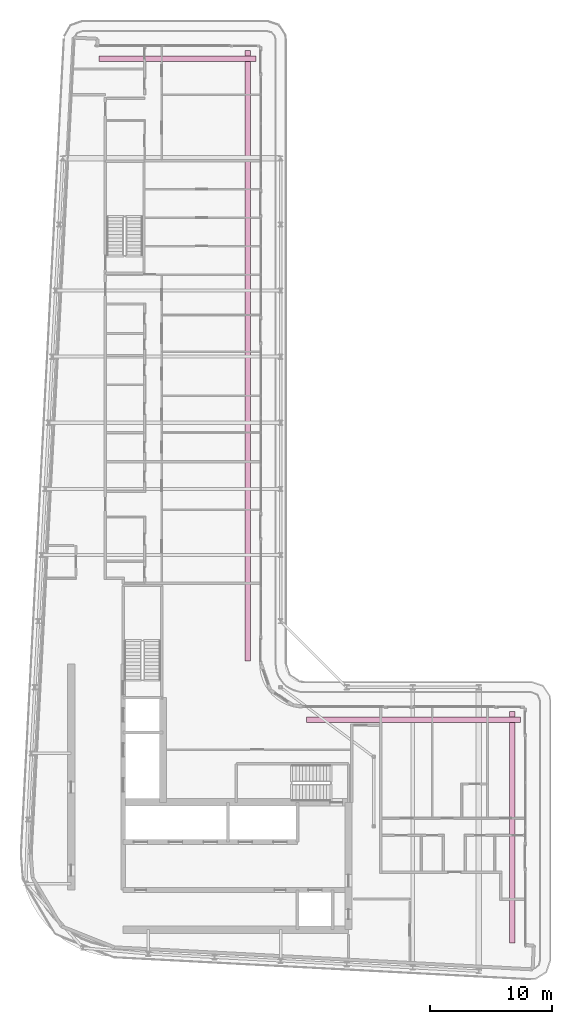
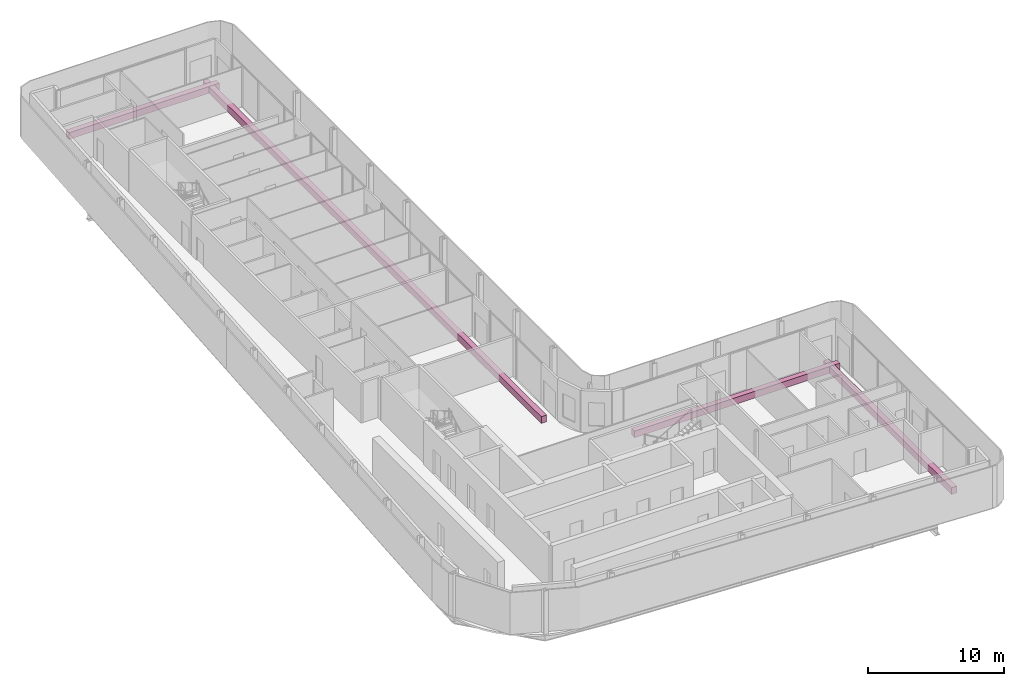
# One storey, part 21 of 21: 4 furniture elements.
"""IFC4 building model written with IfcOpenShell, lengths in metres."""

from ifc_helpers import new_model, si_unit, direction, frame, origin, origin_2d, place, context, subcontext, project, spatial, rectangle, extrude, material, type_object, element, save


model = new_model("IFC4")

# Units and contexts
model_context = context("Model", 3, precision=1e-05, world=origin(), true_north=direction((0.0, 1.0)))
body_context = subcontext(model_context, "Body", "Model", "MODEL_VIEW")
ifc_project = project(units=[si_unit("LENGTHUNIT", "METRE"), si_unit("AREAUNIT", "SQUARE_METRE"), si_unit("VOLUMEUNIT", "CUBIC_METRE"), si_unit("PLANEANGLEUNIT", "RADIAN"), si_unit("MASSUNIT", "GRAM", prefix="KILO")], contexts=[model_context])

# Site, building, storey
site_placement = place(None, origin())
site = spatial("IfcSite", under=ifc_project, at=site_placement, CompositionType="ELEMENT")
building_placement = place(site_placement, origin())
building = spatial("IfcBuilding", under=site, at=building_placement, Name="Kheshtan School and Residences Tower", CompositionType="ELEMENT")
storey_placement = place(building_placement, frame((0.0, 0.0, 290.300048828125)))
storey = spatial("IfcBuildingStorey", under=building, at=storey_placement, Name="L68", CompositionType="ELEMENT", Elevation=290.300048828125)

# Furniture
ifc_material = material(Name="Precast concrete C30/37 in terracotta finish", Category="masonry")
furniture_type = type_object("IfcFurnitureType", Name="Planter trough", AssemblyPlace="NOTDEFINED", PredefinedType="USERDEFINED", material=ifc_material)
furniture_1_placement = place(storey_placement, frame((39.196044921875, 96.925048828125, 0.0), z_axis=(0.0, 0.0, 1.0), x_axis=(1.0, 0.0, 0.0)))
element("IfcFurniture", 1, at=furniture_1_placement, inside=storey, type_object=furniture_type, Name="Planter L68", ObjectType="PLANTER", PredefinedType="USERDEFINED", context=body_context, shape_type="SweptSolid", body=[
    extrude(rectangle(XDim=12.80810546875, YDim=0.449951171875, at=origin_2d()), origin(), (0.0, 0.0, 1.0), 0.60009765625),
])
furniture_2_placement = place(storey_placement, frame((44.925048828125, 72.6650390625, 0.0), z_axis=(0.0, 0.0, 1.0), x_axis=(0.0, -1.0, 0.0)))
element("IfcFurniture", 2, at=furniture_2_placement, inside=storey, type_object=furniture_type, Name="Planter L68", ObjectType="PLANTER", PredefinedType="USERDEFINED", context=body_context, shape_type="SweptSolid", body=[
    extrude(rectangle(XDim=49.8701171875, YDim=0.449951171875, at=origin_2d()), origin(), (0.0, 0.0, 1.0), 0.60009765625),
])
furniture_3_placement = place(storey_placement, frame((58.465087890625, 42.925048828125, 0.0), z_axis=(0.0, 0.0, 1.0), x_axis=(1.0, 0.0, 0.0)))
element("IfcFurniture", 3, at=furniture_3_placement, inside=storey, type_object=furniture_type, Name="Planter L68", ObjectType="PLANTER", PredefinedType="USERDEFINED", context=body_context, shape_type="SweptSolid", body=[
    extrude(rectangle(XDim=17.469970703125, YDim=0.449951171875, at=origin_2d()), origin(), (0.0, 0.0, 1.0), 0.60009765625),
])
furniture_4_placement = place(storey_placement, frame((66.52490234375, 34.159912109375, 0.0), z_axis=(0.0, 0.0, 1.0), x_axis=(0.0, -1.0, 0.0)))
element("IfcFurniture", 4, at=furniture_4_placement, inside=storey, type_object=furniture_type, Name="Planter L68", ObjectType="PLANTER", PredefinedType="USERDEFINED", context=body_context, shape_type="SweptSolid", body=[
    extrude(rectangle(XDim=18.881103515625, YDim=0.449951171875, at=origin_2d()), origin(), (0.0, 0.0, 1.0), 0.60009765625),
])

save(model, "model.ifc")
